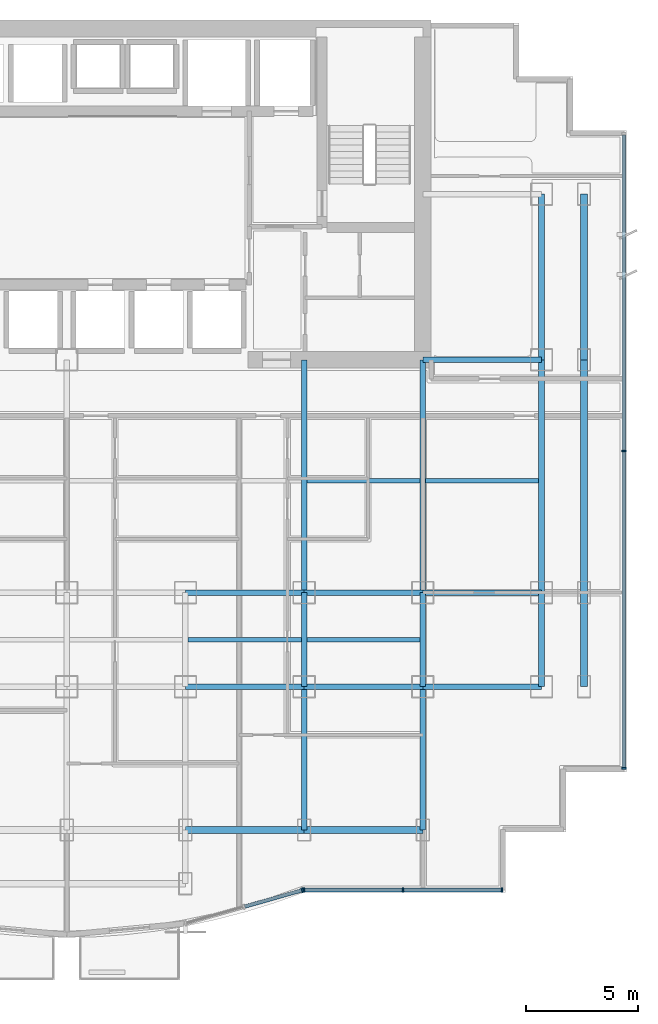
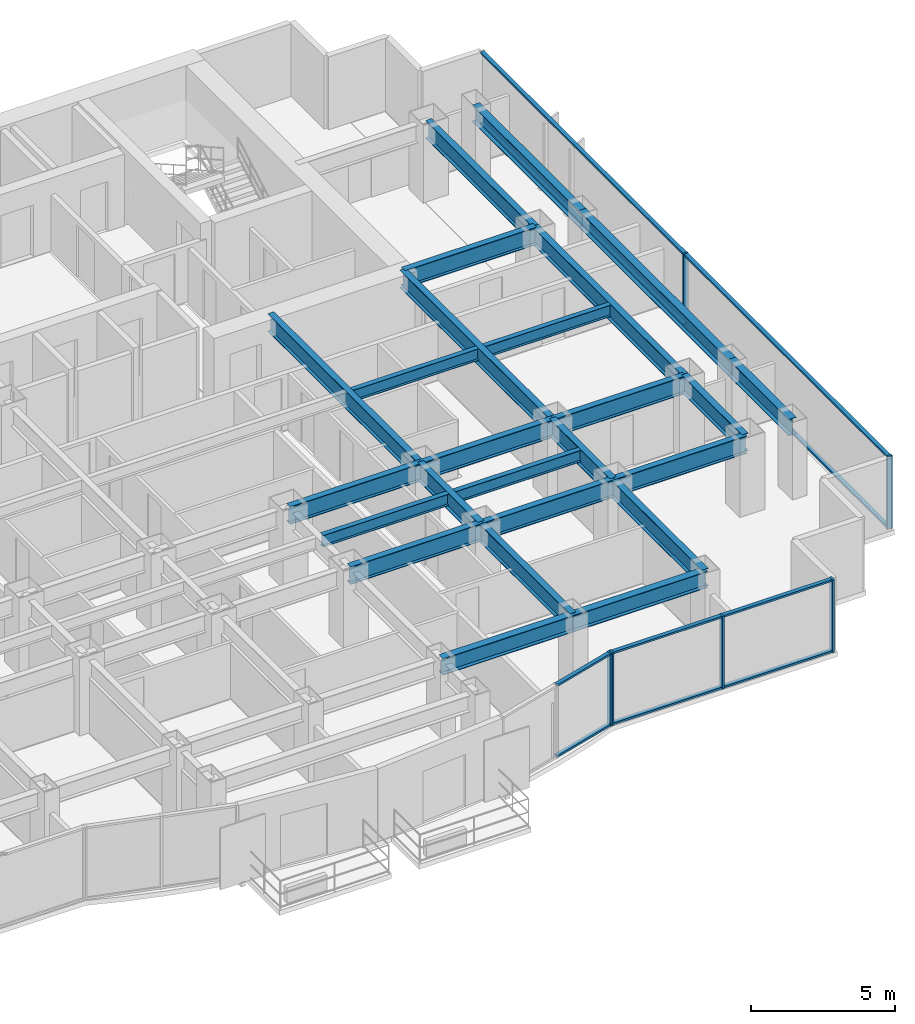
# One storey, part 3 of 12: 25 beams, 16 members, 3 elements without a shape of their own.
"""IFC4 building model written with IfcOpenShell, lengths in metres."""

from ifc_helpers import new_model, si_unit, direction, frame, origin, origin_2d, place, context, subcontext, project, spatial, rectangle, i_section, extrude, source, transform, mapped, material, layer, layer_set, material_profile, profile_set, type_object, element, aggregate, save


model = new_model("IFC4")

# Units and contexts
model_context = context("Model", 3, precision=1e-05, world=origin(), true_north=direction((0.0, 1.0)))
body_context = subcontext(model_context, "Body", "Model", "MODEL_VIEW")
ifc_project = project(units=[si_unit("LENGTHUNIT", "METRE"), si_unit("AREAUNIT", "SQUARE_METRE"), si_unit("VOLUMEUNIT", "CUBIC_METRE"), si_unit("PLANEANGLEUNIT", "RADIAN"), si_unit("MASSUNIT", "GRAM", prefix="KILO")], contexts=[model_context])

# Site, building, storey
site_placement = place(None, origin())
site = spatial("IfcSite", under=ifc_project, at=site_placement, CompositionType="ELEMENT")
building_placement = place(site_placement, origin())
building = spatial("IfcBuilding", under=site, at=building_placement, Name="Qianlan Lanfeng Residences", CompositionType="ELEMENT")
storey_placement = place(building_placement, frame((0.0, 0.0, 81.699951171875)))
storey = spatial("IfcBuildingStorey", under=building, at=storey_placement, Name="L21", CompositionType="ELEMENT", Elevation=81.699951171875)

# Beams
ifc_material_1 = material(Name="Steel SN490B", Category="steel")
ifc_material_profile_1 = material_profile(ifc_material_1, i_section(OverallWidth=0.25, OverallDepth=0.75, WebThickness=0.013916015625, FlangeThickness=0.02490234375, at=origin_2d()), Name="H 750x250x14x25")
ifc_profile_set_1 = profile_set([ifc_material_profile_1], Name="Steel SN490B")
beam_type_1 = type_object("IfcBeamType", Name="G-850", PredefinedType="BEAM", material=ifc_profile_set_1)
beam_1_placement = place(storey_placement, frame((31.800048828125, 10.60009765625, 2.715087890625), z_axis=(1.0, 0.0, 0.0), x_axis=(0.0, 1.0, 0.0)))
element("IfcBeam", 1, at=beam_1_placement, inside=storey, type_object=beam_type_1, Name="Structural beam G-850", PredefinedType="BEAM", context=body_context, shape_type="SweptSolid", body=[
    extrude(i_section(OverallWidth=0.25, OverallDepth=0.75, WebThickness=0.013916015625, FlangeThickness=0.02490234375, at=origin_2d()), origin(), (0.0, 0.0, 1.0), 5.300048828125),
])
beam_2_placement = place(storey_placement, frame((37.10009765625, 10.60009765625, 2.715087890625), z_axis=(1.0, 0.0, 0.0), x_axis=(0.0, 1.0, 0.0)))
element("IfcBeam", 2, at=beam_2_placement, inside=storey, type_object=beam_type_1, Name="Structural beam G-850", PredefinedType="BEAM", context=body_context, shape_type="SweptSolid", body=[
    extrude(i_section(OverallWidth=0.25, OverallDepth=0.75, WebThickness=0.013916015625, FlangeThickness=0.02490234375, at=origin_2d()), origin(), (0.0, 0.0, 1.0), 5.2998046875),
])
for number, where, z_axis, x_axis, name in (
    (3, (42.39990234375, 10.60009765625, 2.715087890625), (1.0, 0.0, 0.0), (0.0, 1.0, 0.0), "Structural beam G-850"),
    (4, (31.800048828125, 14.800048828125, 2.715087890625), (1.0, 0.0, 0.0), (0.0, 1.0, 0.0), "Structural beam G-850"),
):
    element("IfcBeam", number, at=place(storey_placement, frame(where, z_axis=z_axis, x_axis=x_axis)), inside=storey, type_object=beam_type_1, Name=name, PredefinedType="BEAM", context=body_context, shape_type="SweptSolid", body=[
        extrude(i_section(OverallWidth=0.25, OverallDepth=0.75, WebThickness=0.013916015625, FlangeThickness=0.02490234375, at=origin_2d()), origin(), (0.0, 0.0, 1.0), 5.300048828125),
    ])
beam_3_placement = place(storey_placement, frame((37.10009765625, 14.800048828125, 2.715087890625), z_axis=(1.0, 0.0, 0.0), x_axis=(0.0, 1.0, 0.0)))
element("IfcBeam", 5, at=beam_3_placement, inside=storey, type_object=beam_type_1, Name="Structural beam G-850", PredefinedType="BEAM", context=body_context, shape_type="SweptSolid", body=[
    extrude(i_section(OverallWidth=0.25, OverallDepth=0.75, WebThickness=0.013916015625, FlangeThickness=0.02490234375, at=origin_2d()), origin(), (0.0, 0.0, 1.0), 5.2998046875),
])
for number, where, z_axis, x_axis, name in (
    (6, (42.39990234375, 14.800048828125, 2.715087890625), (1.0, 0.0, 0.0), (0.0, 1.0, 0.0), "Structural beam G-850"),
    (7, (42.39990234375, 25.199951171875, 2.715087890625), (1.0, 0.0, 0.0), (0.0, 1.0, 0.0), "Structural beam G-850"),
):
    element("IfcBeam", number, at=place(storey_placement, frame(where, z_axis=z_axis, x_axis=x_axis)), inside=storey, type_object=beam_type_1, Name=name, PredefinedType="BEAM", context=body_context, shape_type="SweptSolid", body=[
        extrude(i_section(OverallWidth=0.25, OverallDepth=0.75, WebThickness=0.013916015625, FlangeThickness=0.02490234375, at=origin_2d()), origin(), (0.0, 0.0, 1.0), 5.300048828125),
    ])
beam_4_placement = place(storey_placement, frame((37.10009765625, 4.199951171875, 2.715087890625), z_axis=(0.0, 1.0, 0.0), x_axis=(-1.0, 0.0, 0.0)))
element("IfcBeam", 8, at=beam_4_placement, inside=storey, type_object=beam_type_1, Name="Structural beam G-850", PredefinedType="BEAM", context=body_context, shape_type="SweptSolid", body=[
    extrude(i_section(OverallWidth=0.25, OverallDepth=0.75, WebThickness=0.013916015625, FlangeThickness=0.02490234375, at=origin_2d()), origin(), (0.0, 0.0, 1.0), 6.400146484375),
])
beam_5_placement = place(storey_placement, frame((37.10009765625, 10.60009765625, 2.715087890625), z_axis=(0.0, 1.0, 0.0), x_axis=(-1.0, 0.0, 0.0)))
element("IfcBeam", 9, at=beam_5_placement, inside=storey, type_object=beam_type_1, Name="Structural beam G-850", PredefinedType="BEAM", context=body_context, shape_type="SweptSolid", body=[
    extrude(i_section(OverallWidth=0.25, OverallDepth=0.75, WebThickness=0.013916015625, FlangeThickness=0.02490234375, at=origin_2d()), origin(), (0.0, 0.0, 1.0), 4.199951171875),
])
beam_6_placement = place(storey_placement, frame((37.10009765625, 14.800048828125, 2.715087890625), z_axis=(0.0, 1.0, 0.0), x_axis=(-1.0, 0.0, 0.0)))
element("IfcBeam", 10, at=beam_6_placement, inside=storey, type_object=beam_type_1, Name="Structural beam G-850", PredefinedType="BEAM", context=body_context, shape_type="SweptSolid", body=[
    extrude(i_section(OverallWidth=0.25, OverallDepth=0.75, WebThickness=0.013916015625, FlangeThickness=0.02490234375, at=origin_2d()), origin(), (0.0, 0.0, 1.0), 10.39990234375),
])
beam_7_placement = place(storey_placement, frame((42.39990234375, 4.199951171875, 2.715087890625), z_axis=(0.0, 1.0, 0.0), x_axis=(-1.0, 0.0, 0.0)))
element("IfcBeam", 11, at=beam_7_placement, inside=storey, type_object=beam_type_1, Name="Structural beam G-850", PredefinedType="BEAM", context=body_context, shape_type="SweptSolid", body=[
    extrude(i_section(OverallWidth=0.25, OverallDepth=0.75, WebThickness=0.013916015625, FlangeThickness=0.02490234375, at=origin_2d()), origin(), (0.0, 0.0, 1.0), 6.400146484375),
])
beam_8_placement = place(storey_placement, frame((42.39990234375, 10.60009765625, 2.715087890625), z_axis=(0.0, 1.0, 0.0), x_axis=(-1.0, 0.0, 0.0)))
element("IfcBeam", 12, at=beam_8_placement, inside=storey, type_object=beam_type_1, Name="Structural beam G-850", PredefinedType="BEAM", context=body_context, shape_type="SweptSolid", body=[
    extrude(i_section(OverallWidth=0.25, OverallDepth=0.75, WebThickness=0.013916015625, FlangeThickness=0.02490234375, at=origin_2d()), origin(), (0.0, 0.0, 1.0), 4.199951171875),
])
beam_9_placement = place(storey_placement, frame((42.39990234375, 14.800048828125, 2.715087890625), z_axis=(0.0, 1.0, 0.0), x_axis=(-1.0, 0.0, 0.0)))
element("IfcBeam", 13, at=beam_9_placement, inside=storey, type_object=beam_type_1, Name="Structural beam G-850", PredefinedType="BEAM", context=body_context, shape_type="SweptSolid", body=[
    extrude(i_section(OverallWidth=0.25, OverallDepth=0.75, WebThickness=0.013916015625, FlangeThickness=0.02490234375, at=origin_2d()), origin(), (0.0, 0.0, 1.0), 10.39990234375),
])
beam_10_placement = place(storey_placement, frame((47.699951171875, 10.60009765625, 2.715087890625), z_axis=(0.0, 1.0, 0.0), x_axis=(-1.0, 0.0, 0.0)))
element("IfcBeam", 14, at=beam_10_placement, inside=storey, type_object=beam_type_1, Name="Structural beam G-850", PredefinedType="BEAM", context=body_context, shape_type="SweptSolid", body=[
    extrude(i_section(OverallWidth=0.25, OverallDepth=0.75, WebThickness=0.013916015625, FlangeThickness=0.02490234375, at=origin_2d()), origin(), (0.0, 0.0, 1.0), 4.199951171875),
])
beam_11_placement = place(storey_placement, frame((47.699951171875, 14.800048828125, 2.715087890625), z_axis=(0.0, 1.0, 0.0), x_axis=(-1.0, 0.0, 0.0)))
element("IfcBeam", 15, at=beam_11_placement, inside=storey, type_object=beam_type_1, Name="Structural beam G-850", PredefinedType="BEAM", context=body_context, shape_type="SweptSolid", body=[
    extrude(i_section(OverallWidth=0.25, OverallDepth=0.75, WebThickness=0.013916015625, FlangeThickness=0.02490234375, at=origin_2d()), origin(), (0.0, 0.0, 1.0), 10.39990234375),
])
beam_12_placement = place(storey_placement, frame((47.699951171875, 25.199951171875, 2.715087890625), z_axis=(0.0, 1.0, 0.0), x_axis=(-1.0, 0.0, 0.0)))
element("IfcBeam", 16, at=beam_12_placement, inside=storey, type_object=beam_type_1, Name="Structural beam G-850", PredefinedType="BEAM", context=body_context, shape_type="SweptSolid", body=[
    extrude(i_section(OverallWidth=0.25, OverallDepth=0.75, WebThickness=0.013916015625, FlangeThickness=0.02490234375, at=origin_2d()), origin(), (0.0, 0.0, 1.0), 7.400146484375),
])
ifc_material_profile_2 = material_profile(ifc_material_1, i_section(OverallWidth=0.199951171875, OverallDepth=0.5, WebThickness=0.010009765625, FlangeThickness=0.01611328125, at=origin_2d()), Name="H 500x200x10x16")
ifc_profile_set_2 = profile_set([ifc_material_profile_2], Name="Steel SN490B")
beam_type_2 = type_object("IfcBeamType", Name="J-500", PredefinedType="JOIST", material=ifc_profile_set_2)
beam_13_placement = place(storey_placement, frame((31.925048828125, 12.699951171875, 2.840087890625), z_axis=(1.0, 0.0, 0.0), x_axis=(0.0, 1.0, 0.0)))
element("IfcBeam", 17, at=beam_13_placement, inside=storey, type_object=beam_type_2, Name="Structural beam J-500", PredefinedType="JOIST", context=body_context, shape_type="SweptSolid", body=[
    extrude(i_section(OverallWidth=0.199951171875, OverallDepth=0.5, WebThickness=0.010009765625, FlangeThickness=0.01611328125, at=origin_2d()), origin(), (0.0, 0.0, 1.0), 5.050048828125),
])
for number, where, z_axis, x_axis, name in (
    (18, (37.22509765625, 12.699951171875, 2.840087890625), (1.0, 0.0, 0.0), (0.0, 1.0, 0.0), "Structural beam J-500"),
    (19, (37.22509765625, 19.800048828125, 2.840087890625), (1.0, 0.0, 0.0), (0.0, 1.0, 0.0), "Structural beam J-500"),
):
    element("IfcBeam", number, at=place(storey_placement, frame(where, z_axis=z_axis, x_axis=x_axis)), inside=storey, type_object=beam_type_2, Name=name, PredefinedType="JOIST", context=body_context, shape_type="SweptSolid", body=[
        extrude(i_section(OverallWidth=0.199951171875, OverallDepth=0.5, WebThickness=0.010009765625, FlangeThickness=0.01611328125, at=origin_2d()), origin(), (0.0, 0.0, 1.0), 5.0498046875),
    ])
beam_14_placement = place(storey_placement, frame((42.52490234375, 19.800048828125, 2.840087890625), z_axis=(1.0, 0.0, 0.0), x_axis=(0.0, 1.0, 0.0)))
element("IfcBeam", 20, at=beam_14_placement, inside=storey, type_object=beam_type_2, Name="Structural beam J-500", PredefinedType="JOIST", context=body_context, shape_type="SweptSolid", body=[
    extrude(i_section(OverallWidth=0.199951171875, OverallDepth=0.5, WebThickness=0.010009765625, FlangeThickness=0.01611328125, at=origin_2d()), origin(), (0.0, 0.0, 1.0), 5.050048828125),
])
ifc_material_profile_3 = material_profile(ifc_material_1, i_section(OverallWidth=0.300048828125, OverallDepth=0.699951171875, WebThickness=0.012939453125, FlangeThickness=0.02392578125, at=origin_2d()), Name="H 700x300x13x24")
ifc_profile_set_3 = profile_set([ifc_material_profile_3], Name="Steel SN490B")
beam_type_3 = type_object("IfcBeamType", Name="SG-750", PredefinedType="SPANDREL", material=ifc_profile_set_3)
beam_15_placement = place(storey_placement, frame((31.800048828125, 4.199951171875, 2.739990234375), z_axis=(1.0, 0.0, 0.0), x_axis=(0.0, 1.0, 0.0)))
element("IfcBeam", 21, at=beam_15_placement, inside=storey, type_object=beam_type_3, Name="Structural beam SG-750", PredefinedType="SPANDREL", context=body_context, shape_type="SweptSolid", body=[
    extrude(i_section(OverallWidth=0.300048828125, OverallDepth=0.699951171875, WebThickness=0.012939453125, FlangeThickness=0.02392578125, at=origin_2d()), origin(), (0.0, 0.0, 1.0), 5.300048828125),
])
beam_16_placement = place(storey_placement, frame((37.10009765625, 4.199951171875, 2.739990234375), z_axis=(1.0, 0.0, 0.0), x_axis=(0.0, 1.0, 0.0)))
element("IfcBeam", 22, at=beam_16_placement, inside=storey, type_object=beam_type_3, Name="Structural beam SG-750", PredefinedType="SPANDREL", context=body_context, shape_type="SweptSolid", body=[
    extrude(i_section(OverallWidth=0.300048828125, OverallDepth=0.699951171875, WebThickness=0.012939453125, FlangeThickness=0.02392578125, at=origin_2d()), origin(), (0.0, 0.0, 1.0), 5.2998046875),
])
beam_17_placement = place(storey_placement, frame((49.60009765625, 10.60009765625, 2.739990234375), z_axis=(0.0, 1.0, 0.0), x_axis=(-1.0, 0.0, 0.0)))
element("IfcBeam", 23, at=beam_17_placement, inside=storey, type_object=beam_type_3, Name="Structural beam SG-750", PredefinedType="SPANDREL", context=body_context, shape_type="SweptSolid", body=[
    extrude(i_section(OverallWidth=0.300048828125, OverallDepth=0.699951171875, WebThickness=0.012939453125, FlangeThickness=0.02392578125, at=origin_2d()), origin(), (0.0, 0.0, 1.0), 4.199951171875),
])
beam_18_placement = place(storey_placement, frame((49.60009765625, 14.800048828125, 2.739990234375), z_axis=(0.0, 1.0, 0.0), x_axis=(-1.0, 0.0, 0.0)))
element("IfcBeam", 24, at=beam_18_placement, inside=storey, type_object=beam_type_3, Name="Structural beam SG-750", PredefinedType="SPANDREL", context=body_context, shape_type="SweptSolid", body=[
    extrude(i_section(OverallWidth=0.300048828125, OverallDepth=0.699951171875, WebThickness=0.012939453125, FlangeThickness=0.02392578125, at=origin_2d()), origin(), (0.0, 0.0, 1.0), 10.39990234375),
])
beam_19_placement = place(storey_placement, frame((49.60009765625, 25.199951171875, 2.739990234375), z_axis=(0.0, 1.0, 0.0), x_axis=(-1.0, 0.0, 0.0)))
element("IfcBeam", 25, at=beam_19_placement, inside=storey, type_object=beam_type_3, Name="Structural beam SG-750", PredefinedType="SPANDREL", context=body_context, shape_type="SweptSolid", body=[
    extrude(i_section(OverallWidth=0.300048828125, OverallDepth=0.699951171875, WebThickness=0.012939453125, FlangeThickness=0.02392578125, at=origin_2d()), origin(), (0.0, 0.0, 1.0), 7.400146484375),
])

# Curtain wall, members
ifc_material_2 = material(Name="Anodised Bronze Aluminium 6063-T6", Category="aluminium")
ifc_layer = layer(ifc_material_2, 0.219970703125)
ifc_layer_set = layer_set([ifc_layer], Name="Anodised Bronze Aluminium 6063-T6")
curtain_wall_type = type_object("IfcCurtainWallType", Name="CW-03", PredefinedType="NOTDEFINED", material=ifc_layer_set)
curtain_wall_1_placement = place(storey_placement, origin())
curtain_wall_1 = element("IfcCurtainWall", 26, at=curtain_wall_1_placement, inside=storey, type_object=curtain_wall_type, Name="L21 Unitised Curtain Wall CWR-L21-04 (CW-03)", PredefinedType="NOTDEFINED")
ifc_material_profile_4 = material_profile(ifc_material_2, rectangle(XDim=0.080078125, YDim=0.159912109375, at=origin_2d()), Name="ALU TRANSOM 80x160")
ifc_profile_set_4 = profile_set([ifc_material_profile_4], Name="Anodised Bronze Aluminium 6063-T6")
member_type_1 = type_object("IfcMemberType", Name="CWT-180", PredefinedType="USERDEFINED", material=ifc_profile_set_4)
shared_shape_1 = source(origin(), body_context, "Body", "SweptSolid", [
    extrude(rectangle(XDim=0.080078125, YDim=0.159912109375, at=origin_2d()), origin(), (0.0, 0.0, 1.0), 4.34033203125),
])
member_1_placement = place(storey_placement, frame((41.5595703125, 1.52001953125, 0.0400390625), z_axis=(1.0, 0.0, 0.0), x_axis=(0.0, 0.0, 1.0)))
member_1 = element("IfcMember", 27, at=member_1_placement, type_object=member_type_1, Name="CWR-L21-04 Transom 2-BOT", ObjectType="TRANSOM", PredefinedType="USERDEFINED", context=body_context, shape_type="MappedRepresentation", body=[
    mapped(shared_shape_1, transform((0.0, 0.0, 0.0), scale=1.0)),
])
member_2_placement = place(storey_placement, frame((41.5595703125, 1.52001953125, 3.050048828125), z_axis=(1.0, 0.0, 0.0), x_axis=(0.0, 0.0, 1.0)))
member_2 = element("IfcMember", 28, at=member_2_placement, type_object=member_type_1, Name="CWR-L21-04 Transom 2-TOP", ObjectType="TRANSOM", PredefinedType="USERDEFINED", context=body_context, shape_type="MappedRepresentation", body=[
    mapped(shared_shape_1, transform((0.0, 0.0, 0.0), scale=1.0)),
])
shared_shape_2 = source(origin(), body_context, "Body", "SweptSolid", [
    extrude(rectangle(XDim=0.080078125, YDim=0.159912109375, at=origin_2d()), origin(), (0.0, 0.0, 1.0), 4.340576171875),
])
member_3_placement = place(storey_placement, frame((37.138916015625, 1.52001953125, 0.0400390625), z_axis=(1.0, 0.0, 0.0), x_axis=(0.0, 0.0, 1.0)))
member_3 = element("IfcMember", 29, at=member_3_placement, type_object=member_type_1, Name="CWR-L21-04 Transom 1-BOT", ObjectType="TRANSOM", PredefinedType="USERDEFINED", context=body_context, shape_type="MappedRepresentation", body=[
    mapped(shared_shape_2, transform((0.0, 0.0, 0.0), scale=1.0)),
])
member_4_placement = place(storey_placement, frame((37.138916015625, 1.52001953125, 3.050048828125), z_axis=(1.0, 0.0, 0.0), x_axis=(0.0, 0.0, 1.0)))
member_4 = element("IfcMember", 30, at=member_4_placement, type_object=member_type_1, Name="CWR-L21-04 Transom 1-TOP", ObjectType="TRANSOM", PredefinedType="USERDEFINED", context=body_context, shape_type="MappedRepresentation", body=[
    mapped(shared_shape_2, transform((0.0, 0.0, 0.0), scale=1.0)),
])

curtain_wall_2_placement = place(storey_placement, origin())
curtain_wall_2 = element("IfcCurtainWall", 31, at=curtain_wall_2_placement, inside=storey, type_object=curtain_wall_type, Name="L21 Unitised Curtain Wall CWR-L21-03 (CW-03)", PredefinedType="NOTDEFINED")
shared_shape_3 = source(origin(), body_context, "Body", "SweptSolid", [
    extrude(rectangle(XDim=0.080078125, YDim=0.159912109375, at=origin_2d()), origin(), (0.0, 0.0, 1.0), 2.63037109375),
])
member_5_placement = place(storey_placement, frame((34.451904296875, 0.77978515625, 0.0400390625), z_axis=(0.961967513886, 0.273163874312, 0.0), x_axis=(0.0, 0.0, 1.0)))
member_5 = element("IfcMember", 32, at=member_5_placement, type_object=member_type_1, Name="CWR-L21-03 Transom 2-BOT", ObjectType="TRANSOM", PredefinedType="USERDEFINED", context=body_context, shape_type="MappedRepresentation", body=[
    mapped(shared_shape_3, transform((0.0, 0.0, 0.0), scale=1.0)),
])
member_6_placement = place(storey_placement, frame((34.451904296875, 0.77978515625, 3.050048828125), z_axis=(0.961967513886, 0.273163874312, 0.0), x_axis=(0.0, 0.0, 1.0)))
member_6 = element("IfcMember", 33, at=member_6_placement, type_object=member_type_1, Name="CWR-L21-03 Transom 2-TOP", ObjectType="TRANSOM", PredefinedType="USERDEFINED", context=body_context, shape_type="MappedRepresentation", body=[
    mapped(shared_shape_3, transform((0.0, 0.0, 0.0), scale=1.0)),
])
ifc_material_profile_5 = material_profile(ifc_material_2, rectangle(XDim=0.080078125, YDim=0.2099609375, at=origin_2d()), Name="ALU MULLION 80x210")
ifc_profile_set_5 = profile_set([ifc_material_profile_5], Name="Anodised Bronze Aluminium 6063-T6")
member_type_2 = type_object("IfcMemberType", Name="CWM-220", PredefinedType="MULLION", material=ifc_profile_set_5)
shared_shape_4 = source(origin(), body_context, "Body", "SweptSolid", [
    extrude(rectangle(XDim=0.080078125, YDim=0.2099609375, at=origin_2d()), origin(), (0.0, 0.0, 1.0), 3.090087890625),
])
member_7_placement = place(storey_placement, frame((37.0205078125, 1.509033203125, 0.0), z_axis=(0.0, 0.0, 1.0), x_axis=(0.961989074302, 0.273087936247, 0.0)))
member_7 = element("IfcMember", 34, at=member_7_placement, type_object=member_type_2, Name="CWR-L21-03 Mullion 3", PredefinedType="MULLION", context=body_context, shape_type="MappedRepresentation", body=[
    mapped(shared_shape_4, transform((0.0, 0.0, 0.0), scale=1.0)),
])
aggregate(curtain_wall_2, [member_7, member_5, member_6])

# Member
member_8_placement = place(storey_placement, frame((37.09912109375, 1.52001953125, 0.0), z_axis=(0.0, 0.0, 1.0), x_axis=(1.0, 0.0, 0.0)))
member_8 = element("IfcMember", 35, at=member_8_placement, type_object=member_type_2, Name="CWR-L21-04 Mullion 1", PredefinedType="MULLION", context=body_context, shape_type="MappedRepresentation", body=[
    mapped(shared_shape_4, transform((0.0, 0.0, 0.0), scale=1.0)),
])

member_9_placement = place(storey_placement, frame((41.51953125, 1.52001953125, 0.0), z_axis=(0.0, 0.0, 1.0), x_axis=(1.0, 0.0, 0.0)))
member_9 = element("IfcMember", 36, at=member_9_placement, type_object=member_type_2, Name="CWR-L21-04 Mullion 2", PredefinedType="MULLION", context=body_context, shape_type="MappedRepresentation", body=[
    mapped(shared_shape_4, transform((0.0, 0.0, 0.0), scale=1.0)),
])

member_10_placement = place(storey_placement, frame((45.93994140625, 1.52001953125, 0.0), z_axis=(0.0, 0.0, 1.0), x_axis=(1.0, 0.0, 0.0)))
member_10 = element("IfcMember", 37, at=member_10_placement, type_object=member_type_2, Name="CWR-L21-04 Mullion 3", PredefinedType="MULLION", context=body_context, shape_type="MappedRepresentation", body=[
    mapped(shared_shape_4, transform((0.0, 0.0, 0.0), scale=1.0)),
])

aggregate(curtain_wall_1, [member_8, member_9, member_10, member_3, member_4, member_1, member_2])

# Curtain wall, members
curtain_wall_3_placement = place(storey_placement, origin())
curtain_wall_3 = element("IfcCurtainWall", 38, at=curtain_wall_3_placement, inside=storey, type_object=curtain_wall_type, Name="L21 Unitised Curtain Wall CWR-L21-05 (CW-03)", PredefinedType="NOTDEFINED")
member_11_placement = place(storey_placement, frame((51.3798828125, 6.9599609375, 0.0), z_axis=(0.0, 0.0, 1.0), x_axis=(0.0, 1.0, 0.0)))
member_11 = element("IfcMember", 39, at=member_11_placement, type_object=member_type_2, Name="CWR-L21-05 Mullion 1", PredefinedType="MULLION", context=body_context, shape_type="MappedRepresentation", body=[
    mapped(shared_shape_4, transform((0.0, 0.0, 0.0), scale=1.0)),
])
member_12_placement = place(storey_placement, frame((51.3798828125, 21.125, 0.0), z_axis=(0.0, 0.0, 1.0), x_axis=(0.0, 1.0, 0.0)))
member_12 = element("IfcMember", 40, at=member_12_placement, type_object=member_type_2, Name="CWR-L21-05 Mullion 2", PredefinedType="MULLION", context=body_context, shape_type="MappedRepresentation", body=[
    mapped(shared_shape_4, transform((0.0, 0.0, 0.0), scale=1.0)),
])
shared_shape_5 = source(origin(), body_context, "Body", "SweptSolid", [
    extrude(rectangle(XDim=0.080078125, YDim=0.159912109375, at=origin_2d()), origin(), (0.0, 0.0, 1.0), 14.0849609375),
])
member_13_placement = place(storey_placement, frame((51.3798828125, 7.0, 0.0400390625), z_axis=(0.0, 1.0, 0.0), x_axis=(0.0, 0.0, 1.0)))
member_13 = element("IfcMember", 41, at=member_13_placement, type_object=member_type_1, Name="CWR-L21-05 Transom 1-BOT", ObjectType="TRANSOM", PredefinedType="USERDEFINED", context=body_context, shape_type="MappedRepresentation", body=[
    mapped(shared_shape_5, transform((0.0, 0.0, 0.0), scale=1.0)),
])
member_14_placement = place(storey_placement, frame((51.3798828125, 7.0, 3.050048828125), z_axis=(0.0, 1.0, 0.0), x_axis=(0.0, 0.0, 1.0)))
member_14 = element("IfcMember", 42, at=member_14_placement, type_object=member_type_1, Name="CWR-L21-05 Transom 1-TOP", ObjectType="TRANSOM", PredefinedType="USERDEFINED", context=body_context, shape_type="MappedRepresentation", body=[
    mapped(shared_shape_5, transform((0.0, 0.0, 0.0), scale=1.0)),
])
member_15_placement = place(storey_placement, frame((51.3798828125, 21.1650390625, 0.0400390625), z_axis=(0.0, 1.0, 0.0), x_axis=(0.0, 0.0, 1.0)))
member_15 = element("IfcMember", 43, at=member_15_placement, type_object=member_type_1, Name="CWR-L21-05 Transom 2-BOT", ObjectType="TRANSOM", PredefinedType="USERDEFINED", context=body_context, shape_type="MappedRepresentation", body=[
    mapped(shared_shape_5, transform((0.0, 0.0, 0.0), scale=1.0)),
])
member_16_placement = place(storey_placement, frame((51.3798828125, 21.1650390625, 3.050048828125), z_axis=(0.0, 1.0, 0.0), x_axis=(0.0, 0.0, 1.0)))
member_16 = element("IfcMember", 44, at=member_16_placement, type_object=member_type_1, Name="CWR-L21-05 Transom 2-TOP", ObjectType="TRANSOM", PredefinedType="USERDEFINED", context=body_context, shape_type="MappedRepresentation", body=[
    mapped(shared_shape_5, transform((0.0, 0.0, 0.0), scale=1.0)),
])
aggregate(curtain_wall_3, [member_11, member_12, member_13, member_14, member_15, member_16])

save(model, "model.ifc")
